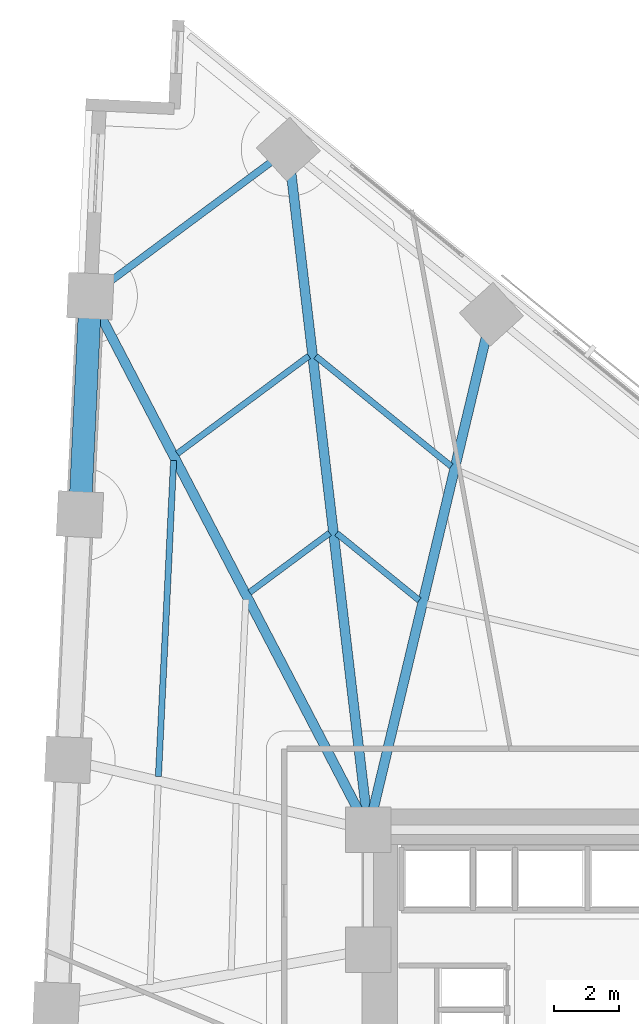
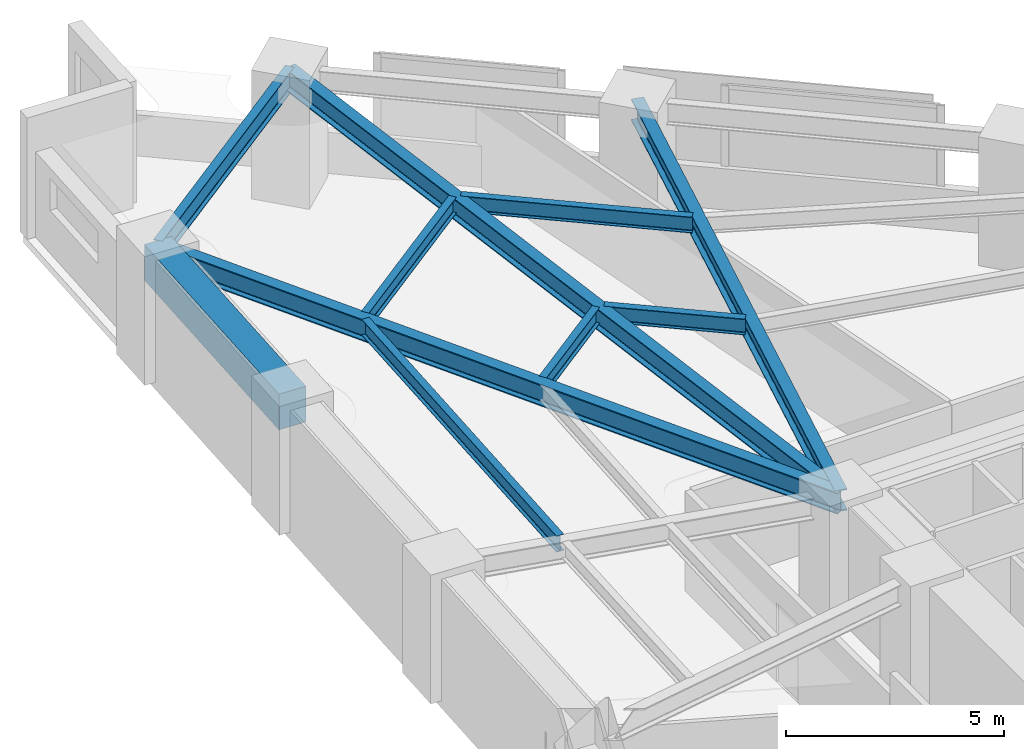
# One storey, part 8 of 17: 10 beams.
"""IFC4 building model written with IfcOpenShell, lengths in metres."""

from ifc_helpers import new_model, si_unit, direction, frame, origin, origin_2d, place, context, subcontext, project, spatial, rectangle, i_section, extrude, material, material_profile, profile_set, type_object, element, save


model = new_model("IFC4")

# Units and contexts
model_context = context("Model", 3, precision=1e-05, world=origin(), true_north=direction((0.0, 1.0)))
body_context = subcontext(model_context, "Body", "Model", "MODEL_VIEW")
ifc_project = project(units=[si_unit("LENGTHUNIT", "METRE"), si_unit("AREAUNIT", "SQUARE_METRE"), si_unit("VOLUMEUNIT", "CUBIC_METRE"), si_unit("PLANEANGLEUNIT", "RADIAN"), si_unit("MASSUNIT", "GRAM", prefix="KILO")], contexts=[model_context])

# Site, building, storey
site_placement = place(None, origin())
site = spatial("IfcSite", under=ifc_project, at=site_placement, CompositionType="ELEMENT")
building_placement = place(site_placement, origin())
building = spatial("IfcBuilding", under=site, at=building_placement, Name="Narakoshi Arena Tower", CompositionType="ELEMENT")
storey_placement = place(building_placement, frame((0.0, 0.0, 30.300048828125)))
storey = spatial("IfcBuildingStorey", under=building, at=storey_placement, Name="L07", CompositionType="ELEMENT", Elevation=30.300048828125)

# Beams
ifc_material_1 = material(Name="Concrete C60/75", Category="concrete")
ifc_material_profile_1 = material_profile(ifc_material_1, rectangle(XDim=0.699951171875, YDim=1.0, at=origin_2d()), Name="RCB700x1000")
ifc_profile_set_1 = profile_set([ifc_material_profile_1], Name="Concrete C60/75")
beam_type_1 = type_object("IfcBeamType", Name="BM-CPL-1000", PredefinedType="BEAM", material=ifc_profile_set_1)
beam_1_placement = place(storey_placement, frame((63.42822265625, 72.95654296875, 2.89990234375), z_axis=(-0.047987034988, -0.998847958637, 0.0), x_axis=(0.998847958637, -0.047987034988, 0.0)))
element("IfcBeam", 1, at=beam_1_placement, inside=storey, type_object=beam_type_1, Name="L07 Perimeter Edge Girder 13", PredefinedType="BEAM", context=body_context, shape_type="SweptSolid", body=[
    extrude(rectangle(XDim=0.699951171875, YDim=1.0, at=origin_2d()), origin(), (0.0, 0.0, 1.0), 6.736083984375),
])
ifc_material_2 = material(Name="Structural steel S355J2", Category="steel")
ifc_material_profile_2 = material_profile(ifc_material_2, i_section(OverallWidth=0.219970703125, OverallDepth=0.60009765625, WebThickness=0.011962890625, FlangeThickness=0.01904296875, FilletRadius=0.02392578125, at=origin_2d()), Name="IPE600")
ifc_profile_set_2 = profile_set([ifc_material_profile_2], Name="Structural steel S355J2")
beam_type_2 = type_object("IfcBeamType", Name="BM-EDGE-600", PredefinedType="BEAM", material=ifc_profile_set_2)
beam_2_placement = place(storey_placement, frame((69.531005859375, 77.483154296875, 3.099853515625), z_axis=(-0.80317737809, -0.595739959482, 0.0), x_axis=(0.595739959482, -0.80317737809, 0.0)))
element("IfcBeam", 2, at=beam_2_placement, inside=storey, type_object=beam_type_2, Name="L07 Perimeter Edge Girder 12", PredefinedType="BEAM", context=body_context, shape_type="SweptSolid", body=[
    extrude(i_section(OverallWidth=0.219970703125, OverallDepth=0.60009765625, WebThickness=0.011962890625, FlangeThickness=0.01904296875, FilletRadius=0.02392578125, at=origin_2d()), origin(), (0.0, 0.0, 1.0), 7.598388671875),
])
ifc_material_profile_3 = material_profile(ifc_material_2, i_section(OverallWidth=0.300048828125, OverallDepth=0.60009765625, WebThickness=0.015380859375, FlangeThickness=0.030029296875, FilletRadius=0.027099609375, at=origin_2d()), Name="HE600B")
ifc_profile_set_3 = profile_set([ifc_material_profile_3], Name="Structural steel S355J2")
beam_type_3 = type_object("IfcBeamType", Name="BM-PRI-600", PredefinedType="BEAM", material=ifc_profile_set_3)
beam_3_placement = place(storey_placement, frame((72.0, 56.5, 3.099853515625), z_axis=(0.23221708245, 0.972663984436, 0.0), x_axis=(-0.972663984436, 0.23221708245, 0.0)))
element("IfcBeam", 3, at=beam_3_placement, inside=storey, type_object=beam_type_3, Name="L07 Radial Primary Floor Girder 11", PredefinedType="BEAM", context=body_context, shape_type="SweptSolid", body=[
    extrude(i_section(OverallWidth=0.300048828125, OverallDepth=0.60009765625, WebThickness=0.015380859375, FlangeThickness=0.030029296875, FilletRadius=0.027099609375, at=origin_2d()), origin(), (0.0, 0.0, 1.0), 16.3388671875),
])
beam_4_placement = place(storey_placement, frame((72.0, 56.5, 3.099853515625), z_axis=(-0.11685934963, 0.993148474501, 0.0), x_axis=(-0.993148474501, -0.11685934963, 0.0)))
element("IfcBeam", 4, at=beam_4_placement, inside=storey, type_object=beam_type_3, Name="L07 Radial Primary Floor Girder 12", PredefinedType="BEAM", context=body_context, shape_type="SweptSolid", body=[
    extrude(i_section(OverallWidth=0.300048828125, OverallDepth=0.60009765625, WebThickness=0.015380859375, FlangeThickness=0.030029296875, FilletRadius=0.027099609375, at=origin_2d()), origin(), (0.0, 0.0, 1.0), 21.1279296875),
])
beam_5_placement = place(storey_placement, frame((72.0, 56.5, 3.099853515625), z_axis=(-0.461962449766, 0.886899484162, 0.0), x_axis=(-0.886899484162, -0.461962449766, 0.0)))
element("IfcBeam", 5, at=beam_5_placement, inside=storey, type_object=beam_type_3, Name="L07 Radial Primary Floor Girder 13", PredefinedType="BEAM", context=body_context, shape_type="SweptSolid", body=[
    extrude(i_section(OverallWidth=0.300048828125, OverallDepth=0.60009765625, WebThickness=0.015380859375, FlangeThickness=0.030029296875, FilletRadius=0.027099609375, at=origin_2d()), origin(), (0.0, 0.0, 1.0), 18.55517578125),
])
ifc_material_profile_4 = material_profile(ifc_material_2, i_section(OverallWidth=0.18994140625, OverallDepth=0.449951171875, WebThickness=0.009521484375, FlangeThickness=0.0146484375, FilletRadius=0.02099609375, at=origin_2d()), Name="IPE450")
ifc_profile_set_4 = profile_set([ifc_material_profile_4], Name="Structural steel S355J2")
beam_type_4 = type_object("IfcBeamType", Name="BM-SEC-450", PredefinedType="JOIST", material=ifc_profile_set_4)
beam_6_placement = place(storey_placement, frame((73.564697265625, 63.577880859375, 3.175048828125), z_axis=(-0.77601840583, 0.630710261383, 0.0), x_axis=(-0.630710261383, -0.77601840583, 0.0)))
element("IfcBeam", 6, at=beam_6_placement, inside=storey, type_object=beam_type_4, Name="L07 Composite Secondary Floor Joist 09", PredefinedType="JOIST", context=body_context, shape_type="SweptSolid", body=[
    extrude(i_section(OverallWidth=0.18994140625, OverallDepth=0.449951171875, WebThickness=0.009521484375, FlangeThickness=0.0146484375, FilletRadius=0.02099609375, at=origin_2d()), origin(), (0.0, 0.0, 1.0), 3.28125),
])
beam_7_placement = place(storey_placement, frame((74.55126953125, 67.709716796875, 3.175048828125), z_axis=(-0.775997387035, 0.630736121778, 0.0), x_axis=(-0.630736121778, -0.775997387035, 0.0)))
element("IfcBeam", 7, at=beam_7_placement, inside=storey, type_object=beam_type_4, Name="L07 Composite Secondary Floor Joist 10", PredefinedType="JOIST", context=body_context, shape_type="SweptSolid", body=[
    extrude(i_section(OverallWidth=0.18994140625, OverallDepth=0.449951171875, WebThickness=0.009521484375, FlangeThickness=0.0146484375, FilletRadius=0.02099609375, at=origin_2d()), origin(), (0.0, 0.0, 1.0), 5.3798828125),
])
beam_8_placement = place(storey_placement, frame((70.80517578125, 65.652099609375, 3.175048828125), z_axis=(-0.803172826668, -0.595746095666, 0.0), x_axis=(0.595746095666, -0.803172826668, 0.0)))
element("IfcBeam", 8, at=beam_8_placement, inside=storey, type_object=beam_type_4, Name="L07 Composite Secondary Floor Joist 11", PredefinedType="JOIST", context=body_context, shape_type="SweptSolid", body=[
    extrude(i_section(OverallWidth=0.18994140625, OverallDepth=0.449951171875, WebThickness=0.009521484375, FlangeThickness=0.0146484375, FilletRadius=0.02099609375, at=origin_2d()), origin(), (0.0, 0.0, 1.0), 3.0732421875),
])
beam_9_placement = place(storey_placement, frame((70.163330078125, 71.10791015625, 3.175048828125), z_axis=(-0.803180127116, -0.595736253225, 0.0), x_axis=(0.595736253225, -0.803180127116, 0.0)))
element("IfcBeam", 9, at=beam_9_placement, inside=storey, type_object=beam_type_4, Name="L07 Composite Secondary Floor Joist 12", PredefinedType="JOIST", context=body_context, shape_type="SweptSolid", body=[
    extrude(i_section(OverallWidth=0.18994140625, OverallDepth=0.449951171875, WebThickness=0.009521484375, FlangeThickness=0.0146484375, FilletRadius=0.02099609375, at=origin_2d()), origin(), (0.0, 0.0, 1.0), 5.048828125),
])
beam_10_placement = place(storey_placement, frame((65.993408203125, 67.884765625, 3.175048828125), z_axis=(-0.047976776959, -0.998848451404, 0.0), x_axis=(0.998848451404, -0.047976776959, 0.0)))
element("IfcBeam", 10, at=beam_10_placement, inside=storey, type_object=beam_type_4, Name="L07 Composite Secondary Floor Joist 14", PredefinedType="JOIST", context=body_context, shape_type="SweptSolid", body=[
    extrude(i_section(OverallWidth=0.18994140625, OverallDepth=0.449951171875, WebThickness=0.009521484375, FlangeThickness=0.0146484375, FilletRadius=0.02099609375, at=origin_2d()), origin(), (0.0, 0.0, 1.0), 9.75),
])

save(model, "model.ifc")
